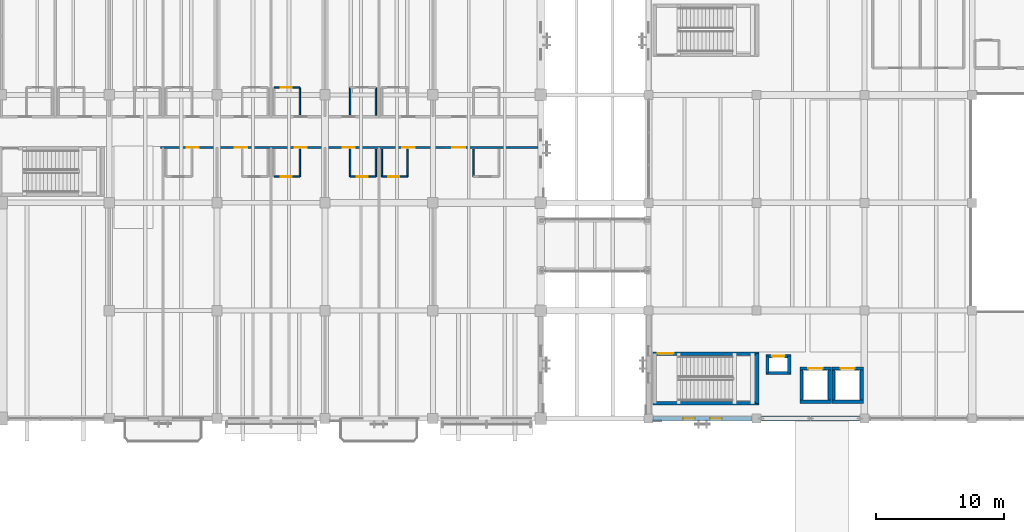
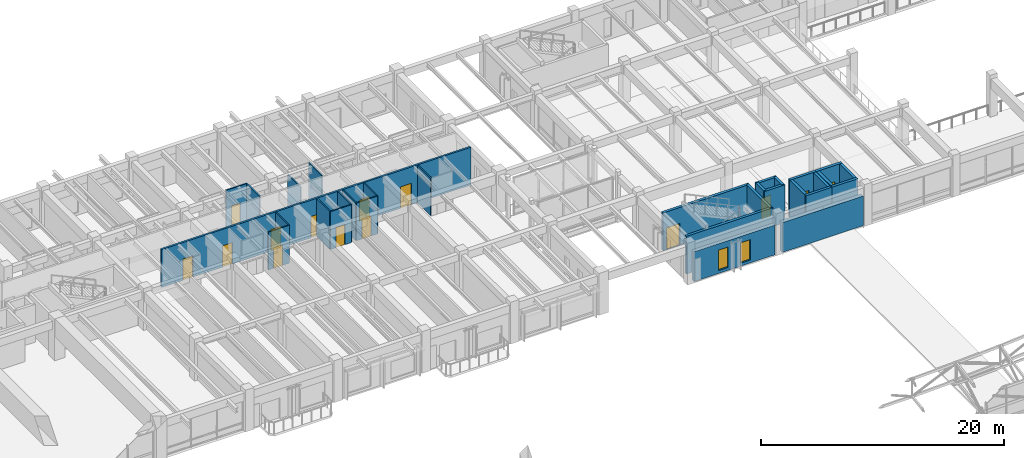
# One storey, part 91 of 132: 31 walls, 14 doors, 2 windows, 16 openings.
"""IFC4 building model written with IfcOpenShell, lengths in metres."""

from ifc_helpers import new_model, si_unit, direction, frame, frame_2d, origin, place, context, subcontext, project, spatial, rectangle, extrude, material, layer, layer_set, type_object, element, fill, save


model = new_model("IFC4")

# Units and contexts
model_context = context("Model", 3, precision=1e-05, world=origin(), true_north=direction((0.0, 1.0)))
body_context = subcontext(model_context, "Body", "Model", "MODEL_VIEW")
ifc_project = project(units=[si_unit("LENGTHUNIT", "METRE"), si_unit("AREAUNIT", "SQUARE_METRE"), si_unit("VOLUMEUNIT", "CUBIC_METRE"), si_unit("PLANEANGLEUNIT", "RADIAN"), si_unit("MASSUNIT", "GRAM", prefix="KILO")], contexts=[model_context])

# Site, building, storey
site_placement = place(None, origin())
site = spatial("IfcSite", under=ifc_project, at=site_placement, CompositionType="ELEMENT")
building_placement = place(site_placement, origin())
building = spatial("IfcBuilding", under=site, at=building_placement, Name="Cumbredor Promenade Congress Hotel", CompositionType="ELEMENT")
storey_placement = place(building_placement, frame((0.0, 0.0, 7.56005859375)))
storey = spatial("IfcBuildingStorey", under=building, at=storey_placement, Name="L02", CompositionType="ELEMENT", Elevation=7.56005859375)

# Wall, opening, door
ifc_material_1 = material(Name="Moisture-resistant gypsum board on steel studs", Category="steel")
ifc_layer_1 = layer(ifc_material_1, 0.114990234375, Name="Moisture-resistant gypsum board on steel studs", Category="steel")
ifc_layer_set_1 = layer_set([ifc_layer_1], Name="Moisture-resistant gypsum board on steel studs")
wall_type_1 = type_object("IfcWallType", Name="WL-BATH-115", PredefinedType="PARTITIONING", material=ifc_layer_set_1)
wall_1_placement = place(storey_placement, frame((63.239990234375, 109.77001953125, 0.0), z_axis=(0.0, 0.0, 1.0), x_axis=(1.0, 0.0, 0.0)))
wall_1 = element("IfcWall", 1, at=wall_1_placement, inside=storey, type_object=wall_type_1, Name="L02 Interior Partition W-L02-BH-0214", PredefinedType="PARTITIONING", context=body_context, shape_type="SweptSolid", body=[
    extrude(rectangle(XDim=2.0, YDim=0.114990234375, at=frame_2d((1.0, 0.0))), origin(), (0.0, 0.0, 1.0), 3.800048828125),
])
opening_1_placement = place(wall_1_placement, frame((0.5, 0.0, 0.0)))
opening_1 = element("IfcOpeningElement", 2, at=opening_1_placement, cuts=wall_1, Name="Opening ID-01", PredefinedType="OPENING", context=body_context, shape_type="SweptSolid", body=[
    extrude(rectangle(XDim=0.860107421875, YDim=2.050048828125, at=frame_2d((0.43017578125, 1.02490234375))), frame((0.0, 0.0673828125, 0.0), z_axis=(0.0, -1.0, 0.0), x_axis=(1.0, 0.0, 0.0)), (0.0, 0.0, 1.0), 0.135009765625),
])
ifc_material_2 = material(Name="Kiln-dried tropical hardwood", Category="wood")
door_type_1 = type_object("IfcDoorType", Name="DR-BATH-860", OperationType="NOTDEFINED", PredefinedType="DOOR", material=ifc_material_2)
door_1_placement = place(opening_1_placement, origin())
door_1 = element("IfcDoor", 3, at=door_1_placement, inside=storey, type_object=door_type_1, Name="L02 Interior Door W-L02-BH-0214-01", OperationType="SINGLE_SWING_LEFT", OverallHeight=2.050048828125, OverallWidth=0.860107421875, PredefinedType="DOOR", context=body_context, shape_type="SweptSolid", body=[
    extrude(rectangle(XDim=0.860107421875, YDim=2.050048828125, at=frame_2d((0.43017578125, 1.02490234375))), frame((0.0, 0.02490234375, 0.0), z_axis=(0.0, -1.0, 0.0), x_axis=(1.0, 0.0, 0.0)), (0.0, 0.0, 1.0), 0.050048828125),
])
fill(opening_1, door_1)

# Walls
wall_2_placement = place(storey_placement, frame((65.239990234375, 107.6201171875, 0.0), z_axis=(0.0, 0.0, 1.0), x_axis=(0.0, 1.0, 0.0)))
element("IfcWall", 4, at=wall_2_placement, inside=storey, type_object=wall_type_1, Name="L02 Interior Partition W-L02-BV2-0214", PredefinedType="PARTITIONING", context=body_context, shape_type="SweptSolid", body=[
    extrude(rectangle(XDim=2.14990234375, YDim=0.114990234375, at=frame_2d((1.074951171875, 0.0))), origin(), (0.0, 0.0, 1.0), 3.800048828125),
])
wall_3_placement = place(storey_placement, frame((69.159912109375, 107.6201171875, 0.0), z_axis=(0.0, 0.0, 1.0), x_axis=(0.0, 1.0, 0.0)))
element("IfcWall", 5, at=wall_3_placement, inside=storey, type_object=wall_type_1, Name="L02 Interior Partition W-L02-BV1-0215", PredefinedType="PARTITIONING", context=body_context, shape_type="SweptSolid", body=[
    extrude(rectangle(XDim=2.14990234375, YDim=0.114990234375, at=frame_2d((1.074951171875, 0.0))), origin(), (0.0, 0.0, 1.0), 3.322021484375),
])
wall_4_placement = place(storey_placement, frame((71.159912109375, 107.6201171875, 0.0), z_axis=(0.0, 0.0, 1.0), x_axis=(0.0, 1.0, 0.0)))
element("IfcWall", 6, at=wall_4_placement, inside=storey, type_object=wall_type_1, Name="L02 Interior Partition W-L02-BV2-0215", PredefinedType="PARTITIONING", context=body_context, shape_type="SweptSolid", body=[
    extrude(rectangle(XDim=2.14990234375, YDim=0.114990234375, at=frame_2d((1.074951171875, 0.0))), origin(), (0.0, 0.0, 1.0), 3.800048828125),
])

# Wall, opening, door
wall_5_placement = place(storey_placement, frame((63.239990234375, 102.830078125, 0.0), z_axis=(0.0, 0.0, 1.0), x_axis=(1.0, 0.0, 0.0)))
wall_5 = element("IfcWall", 7, at=wall_5_placement, inside=storey, type_object=wall_type_1, Name="L02 Interior Partition W-L02-BH-0220", PredefinedType="PARTITIONING", context=body_context, shape_type="SweptSolid", body=[
    extrude(rectangle(XDim=2.0, YDim=0.114990234375, at=frame_2d((1.0, 0.0))), origin(), (0.0, 0.0, 1.0), 3.800048828125),
])
opening_2_placement = place(wall_5_placement, frame((0.5, 0.0, 0.0)))
opening_2 = element("IfcOpeningElement", 8, at=opening_2_placement, cuts=wall_5, Name="Opening ID-01", PredefinedType="OPENING", context=body_context, shape_type="SweptSolid", body=[
    extrude(rectangle(XDim=0.860107421875, YDim=2.050048828125, at=frame_2d((0.43017578125, 1.02490234375))), frame((0.0, 0.0673828125, 0.0), z_axis=(0.0, -1.0, 0.0), x_axis=(1.0, 0.0, 0.0)), (0.0, 0.0, 1.0), 0.135009765625),
])
door_2_placement = place(opening_2_placement, origin())
door_2 = element("IfcDoor", 9, at=door_2_placement, inside=storey, type_object=door_type_1, Name="L02 Interior Door W-L02-BH-0220-01", OperationType="SINGLE_SWING_LEFT", OverallHeight=2.050048828125, OverallWidth=0.860107421875, PredefinedType="DOOR", context=body_context, shape_type="SweptSolid", body=[
    extrude(rectangle(XDim=0.860107421875, YDim=2.050048828125, at=frame_2d((0.43017578125, 1.02490234375))), frame((0.0, 0.02490234375, 0.0), z_axis=(0.0, -1.0, 0.0), x_axis=(1.0, 0.0, 0.0)), (0.0, 0.0, 1.0), 0.050048828125),
])
fill(opening_2, door_2)

# Wall
wall_6_placement = place(storey_placement, frame((65.239990234375, 102.830078125, 0.0), z_axis=(0.0, 0.0, 1.0), x_axis=(0.0, 1.0, 0.0)))
element("IfcWall", 10, at=wall_6_placement, inside=storey, type_object=wall_type_1, Name="L02 Interior Partition W-L02-BV2-0220", PredefinedType="PARTITIONING", context=body_context, shape_type="SweptSolid", body=[
    extrude(rectangle(XDim=2.14990234375, YDim=0.114990234375, at=frame_2d((1.074951171875, 0.0))), origin(), (0.0, 0.0, 1.0), 3.800048828125),
])

# Wall, opening, door
wall_7_placement = place(storey_placement, frame((69.159912109375, 102.830078125, 0.0), z_axis=(0.0, 0.0, 1.0), x_axis=(1.0, 0.0, 0.0)))
wall_7 = element("IfcWall", 11, at=wall_7_placement, inside=storey, type_object=wall_type_1, Name="L02 Interior Partition W-L02-BH-0221", PredefinedType="PARTITIONING", context=body_context, shape_type="SweptSolid", body=[
    extrude(rectangle(XDim=2.0, YDim=0.114990234375, at=frame_2d((1.0, 0.0))), origin(), (0.0, 0.0, 1.0), 3.800048828125),
])
opening_3_placement = place(wall_7_placement, frame((0.5, 0.0, 0.0)))
opening_3 = element("IfcOpeningElement", 12, at=opening_3_placement, cuts=wall_7, Name="Opening ID-01", PredefinedType="OPENING", context=body_context, shape_type="SweptSolid", body=[
    extrude(rectangle(XDim=0.860107421875, YDim=2.050048828125, at=frame_2d((0.43017578125, 1.02490234375))), frame((0.0, 0.0673828125, 0.0), z_axis=(0.0, -1.0, 0.0), x_axis=(1.0, 0.0, 0.0)), (0.0, 0.0, 1.0), 0.135009765625),
])
door_3_placement = place(opening_3_placement, origin())
door_3 = element("IfcDoor", 13, at=door_3_placement, inside=storey, type_object=door_type_1, Name="L02 Interior Door W-L02-BH-0221-01", OperationType="SINGLE_SWING_RIGHT", OverallHeight=2.050048828125, OverallWidth=0.860107421875, PredefinedType="DOOR", context=body_context, shape_type="SweptSolid", body=[
    extrude(rectangle(XDim=0.860107421875, YDim=2.050048828125, at=frame_2d((0.43017578125, 1.02490234375))), frame((0.0, 0.02490234375, 0.0), z_axis=(0.0, -1.0, 0.0), x_axis=(1.0, 0.0, 0.0)), (0.0, 0.0, 1.0), 0.050048828125),
])
fill(opening_3, door_3)

# Walls
for number, where, z_axis, x_axis, name in (
    (14, (69.159912109375, 102.830078125, 0.0), (0.0, 0.0, 1.0), (0.0, 1.0, 0.0), "L02 Interior Partition W-L02-BV1-0221"),
    (15, (71.159912109375, 102.830078125, 0.0), (0.0, 0.0, 1.0), (0.0, 1.0, 0.0), "L02 Interior Partition W-L02-BV2-0221"),
):
    element("IfcWall", number, at=place(storey_placement, frame(where, z_axis=z_axis, x_axis=x_axis)), inside=storey, type_object=wall_type_1, Name=name, PredefinedType="PARTITIONING", context=body_context, shape_type="SweptSolid", body=[
        extrude(rectangle(XDim=2.14990234375, YDim=0.114990234375, at=frame_2d((1.074951171875, 0.0))), origin(), (0.0, 0.0, 1.0), 3.800048828125),
    ])

# Wall, opening, door
wall_8_placement = place(storey_placement, frame((71.639892578125, 102.830078125, 0.0), z_axis=(0.0, 0.0, 1.0), x_axis=(1.0, 0.0, 0.0)))
wall_8 = element("IfcWall", 16, at=wall_8_placement, inside=storey, type_object=wall_type_1, Name="L02 Interior Partition W-L02-BH-0222", PredefinedType="PARTITIONING", context=body_context, shape_type="SweptSolid", body=[
    extrude(rectangle(XDim=2.0, YDim=0.114990234375, at=frame_2d((1.0, 0.0))), origin(), (0.0, 0.0, 1.0), 3.800048828125),
])
opening_4_placement = place(wall_8_placement, frame((0.5, 0.0, 0.0)))
opening_4 = element("IfcOpeningElement", 17, at=opening_4_placement, cuts=wall_8, Name="Opening ID-01", PredefinedType="OPENING", context=body_context, shape_type="SweptSolid", body=[
    extrude(rectangle(XDim=0.860107421875, YDim=2.050048828125, at=frame_2d((0.43017578125, 1.02490234375))), frame((0.0, 0.0673828125, 0.0), z_axis=(0.0, -1.0, 0.0), x_axis=(1.0, 0.0, 0.0)), (0.0, 0.0, 1.0), 0.135009765625),
])
door_4_placement = place(opening_4_placement, origin())
door_4 = element("IfcDoor", 18, at=door_4_placement, inside=storey, type_object=door_type_1, Name="L02 Interior Door W-L02-BH-0222-01", OperationType="SINGLE_SWING_LEFT", OverallHeight=2.050048828125, OverallWidth=0.860107421875, PredefinedType="DOOR", context=body_context, shape_type="SweptSolid", body=[
    extrude(rectangle(XDim=0.860107421875, YDim=2.050048828125, at=frame_2d((0.43017578125, 1.02490234375))), frame((0.0, 0.02490234375, 0.0), z_axis=(0.0, -1.0, 0.0), x_axis=(1.0, 0.0, 0.0)), (0.0, 0.0, 1.0), 0.050048828125),
])
fill(opening_4, door_4)

# Walls
for number, where, z_axis, x_axis, name in (
    (19, (71.639892578125, 102.830078125, 0.0), (0.0, 0.0, 1.0), (0.0, 1.0, 0.0), "L02 Interior Partition W-L02-BV1-0222"),
    (20, (73.639892578125, 102.830078125, 0.0), (0.0, 0.0, 1.0), (0.0, 1.0, 0.0), "L02 Interior Partition W-L02-BV2-0222"),
    (21, (78.75, 102.830078125, 0.0), (0.0, 0.0, 1.0), (0.0, 1.0, 0.0), "L02 Interior Partition W-L02-BV1-0223"),
):
    element("IfcWall", number, at=place(storey_placement, frame(where, z_axis=z_axis, x_axis=x_axis)), inside=storey, type_object=wall_type_1, Name=name, PredefinedType="PARTITIONING", context=body_context, shape_type="SweptSolid", body=[
        extrude(rectangle(XDim=2.14990234375, YDim=0.114990234375, at=frame_2d((1.074951171875, 0.0))), origin(), (0.0, 0.0, 1.0), 3.800048828125),
    ])

# Wall, openings, doors
ifc_material_3 = material(Name="Fire-rated hotel corridor wall")
ifc_layer_2 = layer(ifc_material_3, 0.179931640625, Name="Fire-rated hotel corridor wall")
ifc_layer_set_2 = layer_set([ifc_layer_2], Name="Fire-rated hotel corridor wall")
wall_type_2 = type_object("IfcWallType", Name="WL-CORR-180", PredefinedType="PARTITIONING", material=ifc_layer_set_2)
wall_9_placement = place(storey_placement, frame((54.39990234375, 105.10009765625, 0.0), z_axis=(0.0, 0.0, 1.0), x_axis=(1.0, 0.0, 0.0)))
wall_9 = element("IfcWall", 22, at=wall_9_placement, inside=storey, type_object=wall_type_2, Name="L02 Interior Partition W-L02-CORR-SE", PredefinedType="PARTITIONING", context=body_context, shape_type="SweptSolid", body=[
    extrude(rectangle(XDim=29.3876953125, YDim=0.179931640625, at=frame_2d((14.69384765625, 0.0))), origin(), (0.0, 0.0, 1.0), 3.800048828125),
])
opening_5_placement = place(wall_9_placement, frame((2.030029296875, 0.0, 0.0)))
opening_5 = element("IfcOpeningElement", 23, at=opening_5_placement, cuts=wall_9, Name="Opening FD-01", PredefinedType="OPENING", context=body_context, shape_type="SweptSolid", body=[
    extrude(rectangle(XDim=0.9599609375, YDim=2.14990234375, at=frame_2d((0.47998046875, 1.074951171875))), frame((0.0, 0.10009765625, 0.0), z_axis=(0.0, -1.0, 0.0), x_axis=(1.0, 0.0, 0.0)), (0.0, 0.0, 1.0), 0.199951171875),
])
opening_6_placement = place(wall_9_placement, frame((5.77001953125, 0.0, 0.0)))
opening_6 = element("IfcOpeningElement", 24, at=opening_6_placement, cuts=wall_9, Name="Opening FD-01", PredefinedType="OPENING", context=body_context, shape_type="SweptSolid", body=[
    extrude(rectangle(XDim=0.9599609375, YDim=2.14990234375, at=frame_2d((0.47998046875, 1.074951171875))), frame((0.0, 0.10009765625, 0.0), z_axis=(0.0, -1.0, 0.0), x_axis=(1.0, 0.0, 0.0)), (0.0, 0.0, 1.0), 0.199951171875),
])
opening_7_placement = place(wall_9_placement, frame((10.429931640625, 0.0, 0.0)))
opening_7 = element("IfcOpeningElement", 25, at=opening_7_placement, cuts=wall_9, Name="Opening FD-01", PredefinedType="OPENING", context=body_context, shape_type="SweptSolid", body=[
    extrude(rectangle(XDim=0.9599609375, YDim=2.14990234375, at=frame_2d((0.47998046875, 1.074951171875))), frame((0.0, 0.10009765625, 0.0), z_axis=(0.0, -1.0, 0.0), x_axis=(1.0, 0.0, 0.0)), (0.0, 0.0, 1.0), 0.199951171875),
])
opening_8_placement = place(wall_9_placement, frame((14.169921875, 0.0, 0.0)))
opening_8 = element("IfcOpeningElement", 26, at=opening_8_placement, cuts=wall_9, Name="Opening FD-01", PredefinedType="OPENING", context=body_context, shape_type="SweptSolid", body=[
    extrude(rectangle(XDim=0.9599609375, YDim=2.14990234375, at=frame_2d((0.47998046875, 1.074951171875))), frame((0.0, 0.10009765625, 0.0), z_axis=(0.0, -1.0, 0.0), x_axis=(1.0, 0.0, 0.0)), (0.0, 0.0, 1.0), 0.199951171875),
])
opening_9_placement = place(wall_9_placement, frame((18.830078125, 0.0, 0.0)))
opening_9 = element("IfcOpeningElement", 27, at=opening_9_placement, cuts=wall_9, Name="Opening FD-01", PredefinedType="OPENING", context=body_context, shape_type="SweptSolid", body=[
    extrude(rectangle(XDim=0.9599609375, YDim=2.14990234375, at=frame_2d((0.47998046875, 1.074951171875))), frame((0.0, 0.10009765625, 0.0), z_axis=(0.0, -1.0, 0.0), x_axis=(1.0, 0.0, 0.0)), (0.0, 0.0, 1.0), 0.199951171875),
])
opening_10_placement = place(wall_9_placement, frame((22.699951171875, 0.0, 0.0)))
opening_10 = element("IfcOpeningElement", 28, at=opening_10_placement, cuts=wall_9, Name="Opening FD-02", PredefinedType="OPENING", context=body_context, shape_type="SweptSolid", body=[
    extrude(rectangle(XDim=1.02001953125, YDim=2.14990234375, at=frame_2d((0.510009765625, 1.074951171875))), frame((0.0, 0.10009765625, 0.0), z_axis=(0.0, -1.0, 0.0), x_axis=(1.0, 0.0, 0.0)), (0.0, 0.0, 1.0), 0.199951171875),
])
ifc_material_4 = material(Name="Solid-core fire-rated tropical hardwood", Category="wood")
door_type_2 = type_object("IfcDoorType", Name="DR-GUEST-FD30-1000", OperationType="NOTDEFINED", PredefinedType="DOOR", material=ifc_material_4)
door_5_placement = place(opening_10_placement, origin())
door_5 = element("IfcDoor", 29, at=door_5_placement, inside=storey, type_object=door_type_2, Name="L02 Interior Door W-L02-CORR-SE-06", OperationType="SINGLE_SWING_LEFT", OverallHeight=2.14990234375, OverallWidth=1.02001953125, PredefinedType="DOOR", context=body_context, shape_type="SweptSolid", body=[
    extrude(rectangle(XDim=1.02001953125, YDim=2.14990234375, at=frame_2d((0.510009765625, 1.074951171875))), frame((0.0, 0.02490234375, 0.0), z_axis=(0.0, -1.0, 0.0), x_axis=(1.0, 0.0, 0.0)), (0.0, 0.0, 1.0), 0.050048828125),
])
fill(opening_10, door_5)
door_type_3 = type_object("IfcDoorType", Name="DR-GUEST-FD30-950", OperationType="NOTDEFINED", PredefinedType="DOOR", material=ifc_material_4)
door_6_placement = place(opening_5_placement, origin())
door_6 = element("IfcDoor", 30, at=door_6_placement, inside=storey, type_object=door_type_3, Name="L02 Interior Door W-L02-CORR-SE-01", OperationType="SINGLE_SWING_RIGHT", OverallHeight=2.14990234375, OverallWidth=0.9599609375, PredefinedType="DOOR", context=body_context, shape_type="SweptSolid", body=[
    extrude(rectangle(XDim=0.9599609375, YDim=2.14990234375, at=frame_2d((0.47998046875, 1.074951171875))), frame((0.0, 0.02490234375, 0.0), z_axis=(0.0, -1.0, 0.0), x_axis=(1.0, 0.0, 0.0)), (0.0, 0.0, 1.0), 0.050048828125),
])
fill(opening_5, door_6)
door_7_placement = place(opening_6_placement, origin())
door_7 = element("IfcDoor", 31, at=door_7_placement, inside=storey, type_object=door_type_3, Name="L02 Interior Door W-L02-CORR-SE-02", OperationType="SINGLE_SWING_LEFT", OverallHeight=2.14990234375, OverallWidth=0.9599609375, PredefinedType="DOOR", context=body_context, shape_type="SweptSolid", body=[
    extrude(rectangle(XDim=0.9599609375, YDim=2.14990234375, at=frame_2d((0.47998046875, 1.074951171875))), frame((0.0, 0.02490234375, 0.0), z_axis=(0.0, -1.0, 0.0), x_axis=(1.0, 0.0, 0.0)), (0.0, 0.0, 1.0), 0.050048828125),
])
fill(opening_6, door_7)
door_8_placement = place(opening_7_placement, origin())
door_8 = element("IfcDoor", 32, at=door_8_placement, inside=storey, type_object=door_type_3, Name="L02 Interior Door W-L02-CORR-SE-03", OperationType="SINGLE_SWING_RIGHT", OverallHeight=2.14990234375, OverallWidth=0.9599609375, PredefinedType="DOOR", context=body_context, shape_type="SweptSolid", body=[
    extrude(rectangle(XDim=0.9599609375, YDim=2.14990234375, at=frame_2d((0.47998046875, 1.074951171875))), frame((0.0, 0.02490234375, 0.0), z_axis=(0.0, -1.0, 0.0), x_axis=(1.0, 0.0, 0.0)), (0.0, 0.0, 1.0), 0.050048828125),
])
fill(opening_7, door_8)
door_9_placement = place(opening_8_placement, origin())
door_9 = element("IfcDoor", 33, at=door_9_placement, inside=storey, type_object=door_type_3, Name="L02 Interior Door W-L02-CORR-SE-04", OperationType="SINGLE_SWING_LEFT", OverallHeight=2.14990234375, OverallWidth=0.9599609375, PredefinedType="DOOR", context=body_context, shape_type="SweptSolid", body=[
    extrude(rectangle(XDim=0.9599609375, YDim=2.14990234375, at=frame_2d((0.47998046875, 1.074951171875))), frame((0.0, 0.02490234375, 0.0), z_axis=(0.0, -1.0, 0.0), x_axis=(1.0, 0.0, 0.0)), (0.0, 0.0, 1.0), 0.050048828125),
])
fill(opening_8, door_9)
door_10_placement = place(opening_9_placement, origin())
door_10 = element("IfcDoor", 34, at=door_10_placement, inside=storey, type_object=door_type_3, Name="L02 Interior Door W-L02-CORR-SE-05", OperationType="SINGLE_SWING_RIGHT", OverallHeight=2.14990234375, OverallWidth=0.9599609375, PredefinedType="DOOR", context=body_context, shape_type="SweptSolid", body=[
    extrude(rectangle(XDim=0.9599609375, YDim=2.14990234375, at=frame_2d((0.47998046875, 1.074951171875))), frame((0.0, 0.02490234375, 0.0), z_axis=(0.0, -1.0, 0.0), x_axis=(1.0, 0.0, 0.0)), (0.0, 0.0, 1.0), 0.050048828125),
])
fill(opening_9, door_10)

# Wall, openings, windows
ifc_material_5 = material(Name="Concrete C40/50", Category="concrete")
ifc_layer_3 = layer(ifc_material_5, 0.35009765625, Name="Concrete C40/50", Category="concrete")
ifc_layer_set_3 = layer_set([ifc_layer_3], Name="Concrete C40/50")
wall_type_3 = type_object("IfcWallType", Name="WL-EXT-350", PredefinedType="SOLIDWALL", material=ifc_layer_set_3)
wall_10_placement = place(storey_placement, frame((92.7509765625, 84.0, 0.0), z_axis=(0.0, 0.0, 1.0), x_axis=(1.0, 0.0, 0.0)))
wall_10 = element("IfcWall", 35, at=wall_10_placement, inside=storey, type_object=wall_type_3, Name="L02 Pre-Function and Breakout Meeting Forum South Envelope Wall 1", PredefinedType="SOLIDWALL", context=body_context, shape_type="SweptSolid", body=[
    extrude(rectangle(XDim=7.697998046875, YDim=0.35009765625, at=frame_2d((3.84912109375, 0.0))), origin(), (0.0, 0.0, 1.0), 2.98486328125),
])
opening_11_placement = place(wall_10_placement, frame((2.339111328125, 0.0, 0.300048828125)))
opening_11 = element("IfcOpeningElement", 36, at=opening_11_placement, cuts=wall_10, Name="Opening WN-56", PredefinedType="OPENING", context=body_context, shape_type="SweptSolid", body=[
    extrude(rectangle(XDim=0.919921875, YDim=2.050048828125, at=frame_2d((0.4599609375, 1.02490234375))), frame((0.0, 0.18505859375, 0.0), z_axis=(0.0, -1.0, 0.0), x_axis=(1.0, 0.0, 0.0)), (0.0, 0.0, 1.0), 0.3701171875),
])
opening_12_placement = place(wall_10_placement, frame((4.43896484375, 0.0, 0.300048828125)))
opening_12 = element("IfcOpeningElement", 37, at=opening_12_placement, cuts=wall_10, Name="Opening WN-56", PredefinedType="OPENING", context=body_context, shape_type="SweptSolid", body=[
    extrude(rectangle(XDim=0.919921875, YDim=2.050048828125, at=frame_2d((0.4599609375, 1.02490234375))), frame((0.0, 0.18505859375, 0.0), z_axis=(0.0, -1.0, 0.0), x_axis=(1.0, 0.0, 0.0)), (0.0, 0.0, 1.0), 0.3701171875),
])
ifc_material_6 = material(Name="Thermally broken anodized aluminium and low-E glass", Category="aluminium")
window_type = type_object("IfcWindowType", Name="Vertical Slot Window WN-56 920x2050", PartitioningType="SINGLE_PANEL", PredefinedType="WINDOW", material=ifc_material_6)
window_1_placement = place(opening_11_placement, origin())
window_1 = element("IfcWindow", 38, at=window_1_placement, inside=storey, type_object=window_type, Name="L02 Vertical Slot Window 0260", OverallHeight=2.050048828125, OverallWidth=0.919921875, PartitioningType="SINGLE_PANEL", PredefinedType="WINDOW", context=body_context, shape_type="SweptSolid", body=[
    extrude(rectangle(XDim=0.919921875, YDim=2.050048828125, at=frame_2d((0.4599609375, 1.02490234375))), frame((0.0, 0.030029296875, 0.0), z_axis=(0.0, -1.0, 0.0), x_axis=(1.0, 0.0, 0.0)), (0.0, 0.0, 1.0), 0.06005859375),
])
fill(opening_11, window_1)
window_2_placement = place(opening_12_placement, origin())
window_2 = element("IfcWindow", 39, at=window_2_placement, inside=storey, type_object=window_type, Name="L02 Vertical Slot Window 0261", OverallHeight=2.050048828125, OverallWidth=0.919921875, PartitioningType="SINGLE_PANEL", PredefinedType="WINDOW", context=body_context, shape_type="SweptSolid", body=[
    extrude(rectangle(XDim=0.919921875, YDim=2.050048828125, at=frame_2d((0.4599609375, 1.02490234375))), frame((0.0, 0.030029296875, 0.0), z_axis=(0.0, -1.0, 0.0), x_axis=(1.0, 0.0, 0.0)), (0.0, 0.0, 1.0), 0.06005859375),
])
fill(opening_12, window_2)

# Walls
ifc_layer_4 = layer(ifc_material_5, 0.3798828125, Name="Concrete C40/50", Category="concrete")
ifc_layer_set_4 = layer_set([ifc_layer_4], Name="Concrete C40/50")
wall_type_4 = type_object("IfcWallType", Name="WL-EXT-380", PredefinedType="SOLIDWALL", material=ifc_layer_set_4)
wall_11_placement = place(storey_placement, frame((101.15087890625, 84.0, 0.0), z_axis=(0.0, 0.0, 1.0), x_axis=(1.0, 0.0, 0.0)))
element("IfcWall", 40, at=wall_11_placement, inside=storey, type_object=wall_type_4, Name="L02 Pre-Function and Breakout Meeting Forum South Envelope Wall 2", PredefinedType="SOLIDWALL", context=body_context, shape_type="SweptSolid", body=[
    extrude(rectangle(XDim=7.6982421875, YDim=0.3798828125, at=frame_2d((3.84912109375, 0.0))), origin(), (0.0, 0.0, 1.0), 2.98486328125),
])
ifc_layer_5 = layer(ifc_material_5, 0.2548828125, Name="Concrete C40/50", Category="concrete")
ifc_layer_set_5 = layer_set([ifc_layer_5], Name="Concrete C40/50")
wall_type_5 = type_object("IfcWallType", Name="WL-SHAFT-250", PredefinedType="SOLIDWALL", material=ifc_layer_set_5)
wall_12_placement = place(storey_placement, frame((92.75244140625, 85.179931640625, 0.0), z_axis=(0.0, 0.0, 1.0), x_axis=(1.0, 0.0, 0.0)))
element("IfcWall", 41, at=wall_12_placement, inside=storey, type_object=wall_type_5, Name="STAIR-ST-13-L02 Shaft Wall South", PredefinedType="SOLIDWALL", context=body_context, shape_type="SweptSolid", body=[
    extrude(rectangle(XDim=8.22509765625, YDim=0.2548828125, at=frame_2d((4.112548828125, 0.0))), origin(), (0.0, 0.0, 1.0), 3.800048828125),
])

# Wall, opening, door
wall_13_placement = place(storey_placement, frame((92.75244140625, 89.050048828125, 0.0), z_axis=(0.0, 0.0, 1.0), x_axis=(1.0, 0.0, 0.0)))
wall_13 = element("IfcWall", 42, at=wall_13_placement, inside=storey, type_object=wall_type_5, Name="STAIR-ST-13-L02 Shaft Wall North", PredefinedType="SOLIDWALL", context=body_context, shape_type="SweptSolid", body=[
    extrude(rectangle(XDim=8.22509765625, YDim=0.2548828125, at=frame_2d((4.112548828125, 0.0))), origin(), (0.0, 0.0, 1.0), 3.800048828125),
])
opening_13_placement = place(wall_13_placement, frame((0.35009765625, 0.0, 0.0)))
opening_13 = element("IfcOpeningElement", 43, at=opening_13_placement, cuts=wall_13, Name="Opening SD-02", PredefinedType="OPENING", context=body_context, shape_type="SweptSolid", body=[
    extrude(rectangle(XDim=1.25, YDim=2.199951171875, at=frame_2d((0.625, 1.10009765625))), frame((0.0, 0.137451171875, 0.0), z_axis=(0.0, -1.0, 0.0), x_axis=(1.0, 0.0, 0.0)), (0.0, 0.0, 1.0), 0.27490234375),
])
ifc_material_7 = material(Name="Painted galvanized steel fire door", Category="steel")
door_type_4 = type_object("IfcDoorType", Name="DR-STAIR-FD90-1250", OperationType="NOTDEFINED", PredefinedType="DOOR", material=ifc_material_7)
door_11_placement = place(opening_13_placement, origin())
door_11 = element("IfcDoor", 44, at=door_11_placement, inside=storey, type_object=door_type_4, Name="L02 Protected Exit Stair ST-13 Door", OperationType="SINGLE_SWING_RIGHT", OverallHeight=2.199951171875, OverallWidth=1.25, PredefinedType="DOOR", context=body_context, shape_type="SweptSolid", body=[
    extrude(rectangle(XDim=1.25, YDim=2.199951171875, at=frame_2d((0.625, 1.10009765625))), frame((0.0, 0.02490234375, 0.0), z_axis=(0.0, -1.0, 0.0), x_axis=(1.0, 0.0, 0.0)), (0.0, 0.0, 1.0), 0.050048828125),
])
fill(opening_13, door_11)

# Walls
wall_14_placement = place(storey_placement, frame((100.85009765625, 85.179931640625, 0.0), z_axis=(0.0, 0.0, 1.0), x_axis=(0.0, 1.0, 0.0)))
element("IfcWall", 45, at=wall_14_placement, inside=storey, type_object=wall_type_5, Name="STAIR-ST-13-L02 Shaft Wall East", PredefinedType="SOLIDWALL", context=body_context, shape_type="SweptSolid", body=[
    extrude(rectangle(XDim=3.8701171875, YDim=0.2548828125, at=frame_2d((1.93505859375, 0.0))), origin(), (0.0, 0.0, 1.0), 3.800048828125),
])
wall_15_placement = place(storey_placement, frame((104.172607421875, 85.300048828125, 0.0), z_axis=(0.0, 0.0, 1.0), x_axis=(1.0, 0.0, 0.0)))
element("IfcWall", 46, at=wall_15_placement, inside=storey, type_object=wall_type_5, Name="SHAFT-PL-09-L02 Shaft Wall South", PredefinedType="SOLIDWALL", context=body_context, shape_type="SweptSolid", body=[
    extrude(rectangle(XDim=2.454833984375, YDim=0.2548828125, at=frame_2d((1.2275390625, 0.0))), origin(), (0.0, 0.0, 1.0), 3.800048828125),
])

# Wall, opening, door
wall_16_placement = place(storey_placement, frame((104.172607421875, 87.89990234375, 0.0), z_axis=(0.0, 0.0, 1.0), x_axis=(1.0, 0.0, 0.0)))
wall_16 = element("IfcWall", 47, at=wall_16_placement, inside=storey, type_object=wall_type_5, Name="SHAFT-PL-09-L02 Shaft Wall North", PredefinedType="SOLIDWALL", context=body_context, shape_type="SweptSolid", body=[
    extrude(rectangle(XDim=2.454833984375, YDim=0.2548828125, at=frame_2d((1.2275390625, 0.0))), origin(), (0.0, 0.0, 1.0), 3.800048828125),
])
opening_14_placement = place(wall_16_placement, frame((0.677490234375, 0.0, 0.0)))
opening_14 = element("IfcOpeningElement", 48, at=opening_14_placement, cuts=wall_16, Name="Opening LD-01", PredefinedType="OPENING", context=body_context, shape_type="SweptSolid", body=[
    extrude(rectangle(XDim=1.10009765625, YDim=2.14990234375, at=frame_2d((0.550048828125, 1.074951171875))), frame((0.0, 0.137451171875, 0.0), z_axis=(0.0, -1.0, 0.0), x_axis=(1.0, 0.0, 0.0)), (0.0, 0.0, 1.0), 0.27490234375),
])
ifc_material_8 = material(Name="Brushed stainless steel", Category="steel")
door_type_5 = type_object("IfcDoorType", Name="Lift Landing Sliding Door LD-01 1100x2150", OperationType="DOUBLE_DOOR_SLIDING", PredefinedType="DOOR", material=ifc_material_8)
door_12_placement = place(opening_14_placement, origin())
door_12 = element("IfcDoor", 49, at=door_12_placement, inside=storey, type_object=door_type_5, Name="L02 Forum Congress Lift PL-09 Sliding Landing Door", OperationType="DOUBLE_DOOR_SLIDING", OverallHeight=2.14990234375, OverallWidth=1.10009765625, PredefinedType="DOOR", context=body_context, shape_type="SweptSolid", body=[
    extrude(rectangle(XDim=1.10009765625, YDim=2.14990234375, at=frame_2d((0.550048828125, 1.074951171875))), frame((0.0, 0.02490234375, 0.0), z_axis=(0.0, -1.0, 0.0), x_axis=(1.0, 0.0, 0.0)), (0.0, 0.0, 1.0), 0.050048828125),
])
fill(opening_14, door_12)

# Walls
for number, where, z_axis, x_axis, name in (
    (50, (104.300048828125, 85.300048828125, 0.0), (0.0, 0.0, 1.0), (0.0, 1.0, 0.0), "SHAFT-PL-09-L02 Shaft Wall West"),
    (51, (106.5, 85.300048828125, 0.0), (0.0, 0.0, 1.0), (0.0, 1.0, 0.0), "SHAFT-PL-09-L02 Shaft Wall East"),
):
    element("IfcWall", number, at=place(storey_placement, frame(where, z_axis=z_axis, x_axis=x_axis)), inside=storey, type_object=wall_type_5, Name=name, PredefinedType="SOLIDWALL", context=body_context, shape_type="SweptSolid", body=[
        extrude(rectangle(XDim=2.599853515625, YDim=0.2548828125, at=frame_2d((1.2998046875, 0.0))), origin(), (0.0, 0.0, 1.0), 3.800048828125),
    ])
wall_17_placement = place(storey_placement, frame((106.672607421875, 85.300048828125, 0.0), z_axis=(0.0, 0.0, 1.0), x_axis=(1.0, 0.0, 0.0)))
element("IfcWall", 52, at=wall_17_placement, inside=storey, type_object=wall_type_5, Name="SHAFT-PL-10-L02 Shaft Wall South", PredefinedType="SOLIDWALL", context=body_context, shape_type="SweptSolid", body=[
    extrude(rectangle(XDim=2.454833984375, YDim=0.2548828125, at=frame_2d((1.2275390625, 0.0))), origin(), (0.0, 0.0, 1.0), 3.800048828125),
])

# Wall, opening, door
wall_18_placement = place(storey_placement, frame((106.672607421875, 87.89990234375, 0.0), z_axis=(0.0, 0.0, 1.0), x_axis=(1.0, 0.0, 0.0)))
wall_18 = element("IfcWall", 53, at=wall_18_placement, inside=storey, type_object=wall_type_5, Name="SHAFT-PL-10-L02 Shaft Wall North", PredefinedType="SOLIDWALL", context=body_context, shape_type="SweptSolid", body=[
    extrude(rectangle(XDim=2.454833984375, YDim=0.2548828125, at=frame_2d((1.2275390625, 0.0))), origin(), (0.0, 0.0, 1.0), 3.800048828125),
])
opening_15_placement = place(wall_18_placement, frame((0.677490234375, 0.0, 0.0)))
opening_15 = element("IfcOpeningElement", 54, at=opening_15_placement, cuts=wall_18, Name="Opening LD-01", PredefinedType="OPENING", context=body_context, shape_type="SweptSolid", body=[
    extrude(rectangle(XDim=1.10009765625, YDim=2.14990234375, at=frame_2d((0.550048828125, 1.074951171875))), frame((0.0, 0.137451171875, 0.0), z_axis=(0.0, -1.0, 0.0), x_axis=(1.0, 0.0, 0.0)), (0.0, 0.0, 1.0), 0.27490234375),
])
door_13_placement = place(opening_15_placement, origin())
door_13 = element("IfcDoor", 55, at=door_13_placement, inside=storey, type_object=door_type_5, Name="L02 Forum Congress Lift PL-10 Sliding Landing Door", OperationType="DOUBLE_DOOR_SLIDING", OverallHeight=2.14990234375, OverallWidth=1.10009765625, PredefinedType="DOOR", context=body_context, shape_type="SweptSolid", body=[
    extrude(rectangle(XDim=1.10009765625, YDim=2.14990234375, at=frame_2d((0.550048828125, 1.074951171875))), frame((0.0, 0.02490234375, 0.0), z_axis=(0.0, -1.0, 0.0), x_axis=(1.0, 0.0, 0.0)), (0.0, 0.0, 1.0), 0.050048828125),
])
fill(opening_15, door_13)

# Walls
for number, where, z_axis, x_axis, name in (
    (56, (106.800048828125, 85.300048828125, 0.0), (0.0, 0.0, 1.0), (0.0, 1.0, 0.0), "SHAFT-PL-10-L02 Shaft Wall West"),
    (57, (109.0, 85.300048828125, 0.0), (0.0, 0.0, 1.0), (0.0, 1.0, 0.0), "SHAFT-PL-10-L02 Shaft Wall East"),
):
    element("IfcWall", number, at=place(storey_placement, frame(where, z_axis=z_axis, x_axis=x_axis)), inside=storey, type_object=wall_type_5, Name=name, PredefinedType="SOLIDWALL", context=body_context, shape_type="SweptSolid", body=[
        extrude(rectangle(XDim=2.599853515625, YDim=0.2548828125, at=frame_2d((1.2998046875, 0.0))), origin(), (0.0, 0.0, 1.0), 3.800048828125),
    ])
wall_19_placement = place(storey_placement, frame((101.5224609375, 87.550048828125, 0.0), z_axis=(0.0, 0.0, 1.0), x_axis=(1.0, 0.0, 0.0)))
element("IfcWall", 58, at=wall_19_placement, inside=storey, type_object=wall_type_5, Name="RISER-MEP-R4-L02 Shaft Wall South", PredefinedType="SOLIDWALL", context=body_context, shape_type="SweptSolid", body=[
    extrude(rectangle(XDim=1.955078125, YDim=0.2548828125, at=frame_2d((0.9775390625, 0.0))), origin(), (0.0, 0.0, 1.0), 3.800048828125),
])

# Wall, opening, door
wall_20_placement = place(storey_placement, frame((101.5224609375, 88.85009765625, 0.0), z_axis=(0.0, 0.0, 1.0), x_axis=(1.0, 0.0, 0.0)))
wall_20 = element("IfcWall", 59, at=wall_20_placement, inside=storey, type_object=wall_type_5, Name="RISER-MEP-R4-L02 Shaft Wall North", PredefinedType="SOLIDWALL", context=body_context, shape_type="SweptSolid", body=[
    extrude(rectangle(XDim=1.955078125, YDim=0.2548828125, at=frame_2d((0.9775390625, 0.0))), origin(), (0.0, 0.0, 1.0), 3.800048828125),
])
opening_16_placement = place(wall_20_placement, frame((0.507568359375, 0.0, 0.0)))
opening_16 = element("IfcOpeningElement", 60, at=opening_16_placement, cuts=wall_20, Name="Opening FD-03", PredefinedType="OPENING", context=body_context, shape_type="SweptSolid", body=[
    extrude(rectangle(XDim=0.93994140625, YDim=2.10009765625, at=frame_2d((0.469970703125, 1.050048828125))), frame((0.0, 0.137451171875, 0.0), z_axis=(0.0, -1.0, 0.0), x_axis=(1.0, 0.0, 0.0)), (0.0, 0.0, 1.0), 0.27490234375),
])
door_type_6 = type_object("IfcDoorType", Name="DR-SGL-FD60-950", OperationType="NOTDEFINED", PredefinedType="DOOR", material=ifc_material_7)
door_14_placement = place(opening_16_placement, origin())
door_14 = element("IfcDoor", 61, at=door_14_placement, inside=storey, type_object=door_type_6, Name="L02 Forum MEP Riser Shaft R4 Access Door", OperationType="SINGLE_SWING_LEFT", OverallHeight=2.10009765625, OverallWidth=0.93994140625, PredefinedType="DOOR", context=body_context, shape_type="SweptSolid", body=[
    extrude(rectangle(XDim=0.93994140625, YDim=2.10009765625, at=frame_2d((0.469970703125, 1.050048828125))), frame((0.0, 0.02490234375, 0.0), z_axis=(0.0, -1.0, 0.0), x_axis=(1.0, 0.0, 0.0)), (0.0, 0.0, 1.0), 0.050048828125),
])
fill(opening_16, door_14)

# Walls
for number, where, z_axis, x_axis, name in (
    (62, (101.64990234375, 87.550048828125, 0.0), (0.0, 0.0, 1.0), (0.0, 1.0, 0.0), "RISER-MEP-R4-L02 Shaft Wall West"),
    (63, (103.35009765625, 87.550048828125, 0.0), (0.0, 0.0, 1.0), (0.0, 1.0, 0.0), "RISER-MEP-R4-L02 Shaft Wall East"),
):
    element("IfcWall", number, at=place(storey_placement, frame(where, z_axis=z_axis, x_axis=x_axis)), inside=storey, type_object=wall_type_5, Name=name, PredefinedType="SOLIDWALL", context=body_context, shape_type="SweptSolid", body=[
        extrude(rectangle(XDim=1.300048828125, YDim=0.2548828125, at=frame_2d((0.64990234375, 0.0))), origin(), (0.0, 0.0, 1.0), 3.800048828125),
    ])

save(model, "model.ifc")
